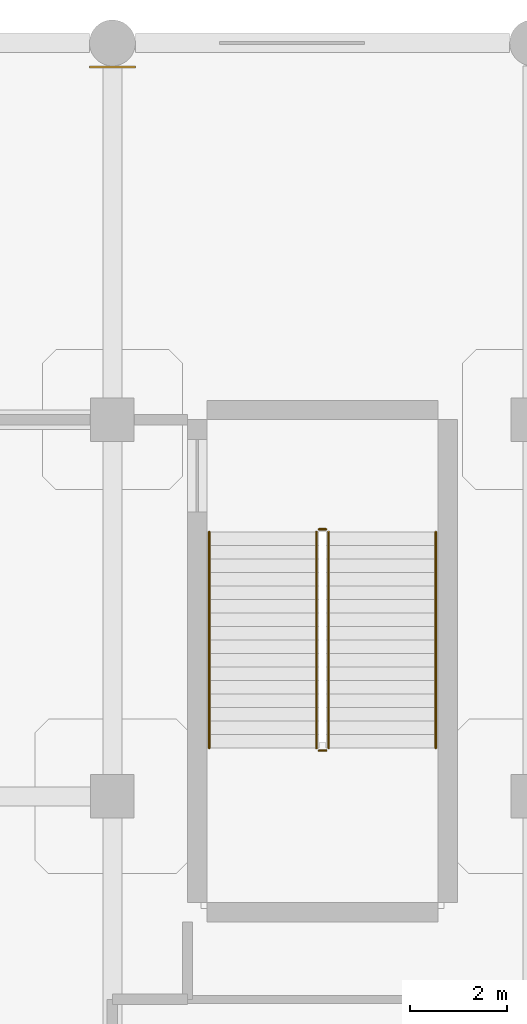
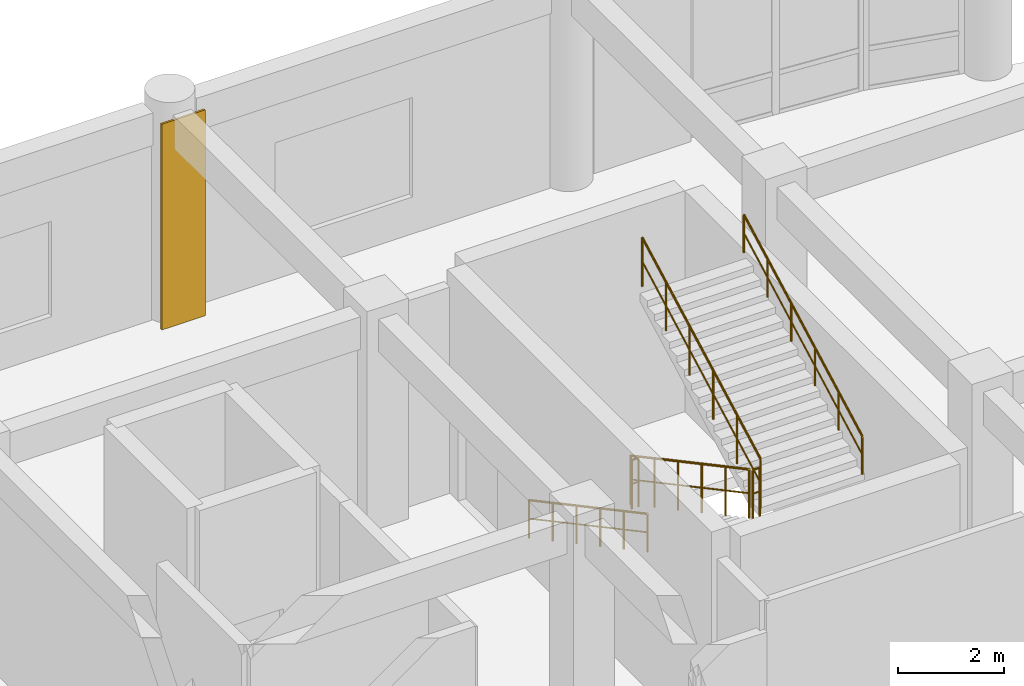
# One storey, part 118 of 120: 6 railings, 1 covering.
"""IFC4 building model written with IfcOpenShell, lengths in metres."""

import ifcopenshell
import ifcopenshell.guid

model = None  # the IFC model being written
_history = None  # IfcOwnerHistory: only IFC2X3 demands one
_inside = {}  # id of a spatial element -> (the spatial element, [elements in it])
_under = {}  # id of a project, library or spatial element -> (it, [spatial elements below it])
_declared = {}  # id of a project -> (the project, [libraries it declares])
_typed = {}  # id of a type object -> (the type object, [elements of that type])
_made_of = {}  # id of a material, layer set ... -> (it, [elements and type objects made of it])


def new_model(schema):
    """Start an empty IFC model of exactly this schema.

    Asked for "IFC4X3", IfcOpenShell would pick the latest addendum, in which some entities
    have other attributes; the version numbers below select the first issue.
    IFC2X3 requires an IfcOwnerHistory on every rooted entity: one is made here for all.
    """
    global model, _history
    if schema == "IFC4X3":
        model = ifcopenshell.file(schema_version=(4, 3, 0, 0))
    else:
        model = ifcopenshell.file(schema=schema)
    _inside.clear()
    _under.clear()
    _declared.clear()
    _typed.clear()
    _made_of.clear()
    _history = None
    if model.schema == "IFC2X3":
        org = make("IfcOrganization", Name="unknown")
        user = make(
            "IfcPersonAndOrganization",
            ThePerson=make("IfcPerson", FamilyName="unknown"),
            TheOrganization=org,
        )
        app = make(
            "IfcApplication",
            ApplicationDeveloper=org,
            Version="unknown",
            ApplicationFullName="unknown",
            ApplicationIdentifier="unknown",
        )
        _history = make(
            "IfcOwnerHistory",
            OwningUser=user,
            OwningApplication=app,
            ChangeAction="ADDED",
            CreationDate=0,
        )
    return model


def make(cls, **values):
    """One entity of the class cls with the attributes given. An attribute that is None is left unset."""
    return model.create_entity(
        cls, **{name: value for name, value in values.items() if value is not None}
    )


def rooted(cls, **values):
    """An entity with a GlobalId (a new one), such as an element, a storey or a relation."""
    return make(cls, GlobalId=ifcopenshell.guid.new(), OwnerHistory=_history, **values)


def si_unit(unit_type, name, prefix=None):
    """IfcSIUnit, for example si_unit("LENGTHUNIT", "METRE", prefix="MILLI")."""
    return make("IfcSIUnit", UnitType=unit_type, Prefix=prefix, Name=name)


def derived_unit(unit_type, elements):
    """IfcDerivedUnit: a product of units, each with its exponent."""
    return make(
        "IfcDerivedUnit",
        Elements=[
            make("IfcDerivedUnitElement", Unit=unit, Exponent=power)
            for unit, power in elements
        ],
        UnitType=unit_type,
    )


def assignment(units):
    """IfcUnitAssignment: the units of a project."""
    return None if units is None else make("IfcUnitAssignment", Units=units)


def point(xyz):
    """IfcCartesianPoint."""
    return None if xyz is None else make("IfcCartesianPoint", Coordinates=xyz)


def direction(xyz):
    """IfcDirection."""
    return None if xyz is None else make("IfcDirection", DirectionRatios=xyz)


def frame(location, z_axis=None, x_axis=None):
    """IfcAxis2Placement3D, a coordinate frame: its origin and axes. An axis left out is left unset."""
    return make(
        "IfcAxis2Placement3D",
        Location=point(location),
        Axis=direction(z_axis),
        RefDirection=direction(x_axis),
    )


def frame_2d(location, x_axis=None):
    """IfcAxis2Placement2D, a coordinate frame in the plane: its origin and x axis."""
    return make(
        "IfcAxis2Placement2D", Location=point(location), RefDirection=direction(x_axis)
    )


def origin():
    """The frame at (0, 0, 0) with its axes left unset."""
    return frame((0.0, 0.0, 0.0))


def origin_2d():
    """The frame at (0, 0) in the plane with its x axis left unset."""
    return frame_2d((0.0, 0.0))


def place(relative_to, where):
    """IfcLocalPlacement: puts the frame where relative to a parent placement (None: the world)."""
    return make(
        "IfcLocalPlacement", PlacementRelTo=relative_to, RelativePlacement=where
    )


def context(
    kind, dimensions, precision=None, world=None, true_north=None, identifier=None
):
    """IfcGeometricRepresentationContext, for example the 3D "Model" context."""
    return make(
        "IfcGeometricRepresentationContext",
        ContextIdentifier=identifier,
        ContextType=kind,
        CoordinateSpaceDimension=dimensions,
        Precision=precision,
        WorldCoordinateSystem=world,
        TrueNorth=true_north,
    )


def subcontext(parent, identifier, kind, view, scale=None):
    """IfcGeometricRepresentationSubContext, for example "Body" below "Model"."""
    return make(
        "IfcGeometricRepresentationSubContext",
        ContextIdentifier=identifier,
        ContextType=kind,
        ParentContext=parent,
        TargetScale=scale,
        TargetView=view,
    )


def project(units=None, contexts=None):
    """IfcProject with its units and contexts."""
    return rooted(
        "IfcProject",
        Name="project",
        RepresentationContexts=contexts,
        UnitsInContext=assignment(units),
    )


def spatial(cls, under=None, at=None, **own):
    """A site, building, storey or space (cls), placed at a placement, below another one or the project."""
    s = rooted(cls, ObjectPlacement=at, **own)
    if under is not None:
        _under.setdefault(under.id(), (under, []))[1].append(s)
    return s


def profile(cls, at=None, kind="AREA", **sizes):
    """A parametric profile (cls). Its sizes go by their IFC names, for example OverallWidth=200.0."""
    return make(cls, ProfileType=kind, Position=at, **sizes)


def rectangle(**sizes):
    """IfcRectangleProfileDef."""
    return profile("IfcRectangleProfileDef", **sizes)


def circle(**sizes):
    """IfcCircleProfileDef."""
    return profile("IfcCircleProfileDef", **sizes)


def extrude(swept, where, along, depth):
    """IfcExtrudedAreaSolid: the profile swept, set in the frame where, extruded along a direction by depth."""
    return make(
        "IfcExtrudedAreaSolid",
        SweptArea=swept,
        Position=where,
        ExtrudedDirection=direction(along),
        Depth=depth,
    )


def shape(context_of_items, identifier, shape_type, items):
    """IfcShapeRepresentation: the items that make up one representation, for example the "Body"."""
    return make(
        "IfcShapeRepresentation",
        ContextOfItems=context_of_items,
        RepresentationIdentifier=identifier,
        RepresentationType=shape_type,
        Items=items,
    )


def material(Name=None, Category=None):
    """IfcMaterial."""
    return make("IfcMaterial", Name=Name, Category=Category)


def layer(
    of_material, thickness, ventilated=None, Name=None, Category=None, Priority=None
):
    """IfcMaterialLayer: one layer of a wall or slab, of a material (None: an air gap)."""
    return make(
        "IfcMaterialLayer",
        Material=of_material,
        LayerThickness=thickness,
        IsVentilated=ventilated,
        Name=Name,
        Category=Category,
        Priority=Priority,
    )


def layer_set(layers, Name=None):
    """IfcMaterialLayerSet."""
    return make("IfcMaterialLayerSet", MaterialLayers=layers, LayerSetName=Name)


def made_of(thing, what):
    """Note that an element or type object is made of a material, layer set ...; save() writes the relation."""
    if what is not None:
        _made_of.setdefault(what.id(), (what, []))[1].append(thing)
    return thing


def type_object(cls, material=None, **own):
    """A type object (cls), such as IfcWallType, which elements share."""
    return made_of(rooted(cls, **own), material)


def element(
    cls,
    number,
    at=None,
    inside=None,
    cuts=None,
    type_object=None,
    material=None,
    context=None,
    identifier="Body",
    shape_type=None,
    held_by="IfcProductDefinitionShape",
    body=None,
    shapes=None,
    **own,
):
    """One element of the class cls, such as IfcWall. Its Tag is "e" and its number.

    at: its placement. inside: the storey or other place that contains it. cuts: it is an
    opening in that element (IfcRelVoidsElement). A single representation is given by context,
    identifier, shape_type and body (its items); several are given by shapes. held_by: the class
    of the entity that holds the representations. save() writes the other relations.
    """
    e = rooted(cls, Tag="e%d" % number, ObjectPlacement=at, **own)
    if body is not None:
        shapes = [shape(context, identifier, shape_type, body)]
    if shapes is not None:
        e.Representation = make(held_by, Representations=shapes)
    if inside is not None:
        _inside.setdefault(inside.id(), (inside, []))[1].append(e)
    if cuts is not None:
        rooted(
            "IfcRelVoidsElement", RelatingBuildingElement=cuts, RelatedOpeningElement=e
        )
    if type_object is not None:
        _typed.setdefault(type_object.id(), (type_object, []))[1].append(e)
    return made_of(e, material)


def aggregate(whole, parts):
    """IfcRelAggregates: a whole, such as a stair, and the parts it consists of."""
    return rooted("IfcRelAggregates", RelatingObject=whole, RelatedObjects=parts)


def save(model, path):
    """Write the relations noted so far, then the file.

    IfcRelAggregates (storeys below a building ...), IfcRelContainedInSpatialStructure (elements
    in a storey), IfcRelDefinesByType, IfcRelAssociatesMaterial and IfcRelDeclares: one each for
    every whole, place, type object, material and project.
    """
    for whole, parts in _under.values():
        aggregate(whole, parts)
    for where, things in _inside.values():
        rooted(
            "IfcRelContainedInSpatialStructure",
            RelatedElements=things,
            RelatingStructure=where,
        )
    for kind, things in _typed.values():
        rooted("IfcRelDefinesByType", RelatedObjects=things, RelatingType=kind)
    for what, things in _made_of.values():
        rooted("IfcRelAssociatesMaterial", RelatedObjects=things, RelatingMaterial=what)
    for by, libraries in _declared.values():
        rooted("IfcRelDeclares", RelatingContext=by, RelatedDefinitions=libraries)
    model.write(path)


model = new_model("IFC4")

# Units and contexts
model_context = context("Model", 3, precision=1e-05, world=origin(), true_north=direction((0.0, 1.0)))
body_context = subcontext(model_context, "Body", "Model", "MODEL_VIEW")
ifc_project = project(units=[si_unit("LENGTHUNIT", "METRE"), si_unit("AREAUNIT", "SQUARE_METRE"), si_unit("VOLUMEUNIT", "CUBIC_METRE"), si_unit("PLANEANGLEUNIT", "RADIAN"), si_unit("MASSUNIT", "GRAM", prefix="KILO"), derived_unit("THERMALTRANSMITTANCEUNIT", [(si_unit("MASSUNIT", "GRAM", prefix="KILO"), 1), (si_unit("TIMEUNIT", "SECOND"), -3), (si_unit("THERMODYNAMICTEMPERATUREUNIT", "KELVIN"), -1)])], contexts=[model_context])

# Site, building, storey
site_placement = place(None, origin())
site = spatial("IfcSite", under=ifc_project, at=site_placement, CompositionType="ELEMENT")
building_placement = place(site_placement, origin())
building = spatial("IfcBuilding", under=site, at=building_placement, Name="Qinzheling Arcade Emporium", CompositionType="ELEMENT")
storey_placement = place(building_placement, frame((0.0, 0.0, 11.39990234375)))
storey = spatial("IfcBuildingStorey", under=building, at=storey_placement, Name="L03", CompositionType="ELEMENT", Elevation=11.39990234375)

# Covering
ifc_material_1 = material(Name="Glazed cream terracotta rainscreen cladding", Category="masonry")
ifc_layer = layer(ifc_material_1, 0.044921875, Name="Glazed cream terracotta rainscreen cladding", Category="masonry")
ifc_layer_set = layer_set([ifc_layer], Name="Glazed cream terracotta rainscreen cladding")
covering_type = type_object("IfcCoveringType", Name="Glazed Terracotta Pier Cladding Casing 45", PredefinedType="CLADDING", material=ifc_layer_set)
covering_placement = place(storey_placement, frame((113.10009765625, 114.10009765625, 0.0), z_axis=(0.0, 0.0, 1.0), x_axis=(1.0, 0.0, 0.0)))
element("IfcCovering", 1, at=covering_placement, inside=storey, type_object=covering_type, Name="Terracotta Pier Cladding L03 8", PredefinedType="CLADDING", context=body_context, shape_type="SweptSolid", body=[
    extrude(rectangle(XDim=0.949951171875, YDim=0.044921875, at=origin_2d()), origin(), (0.0, 0.0, 1.0), 4.75),
])

# Railings
ifc_material_2 = material(Name="Galvanised powder-coated tubular steel", Category="steel")
railing_type_1 = type_object("IfcRailingType", Name="Painted Steel Stairwell Guard Railing 1150", PredefinedType="GUARDRAIL", material=ifc_material_2)
railing_1_placement = place(storey_placement, frame((117.324951171875, 104.47998046875, 0.150146484375)))
element("IfcRailing", 2, at=railing_1_placement, inside=storey, type_object=railing_type_1, Name="L03 ST08 stair guard 1", PredefinedType="GUARDRAIL", context=body_context, shape_type="SweptSolid", body=[
    extrude(circle(Radius=0.02392578125, at=origin_2d()), frame((0.0, 0.0, 1.1259765625), z_axis=(0.0, -0.881487111273, 0.472208081951), x_axis=(1.0, 0.0, 0.0)), (0.0, 0.0, 1.0), 5.082275390625),
    extrude(circle(Radius=0.01611328125, at=origin_2d()), frame((0.0, 0.0, 0.574951171875), z_axis=(0.0, -0.881487111273, 0.472208081951), x_axis=(1.0, 0.0, 0.0)), (0.0, 0.0, 1.0), 5.082275390625),
    extrude(circle(Radius=0.02099609375, at=origin_2d()), origin(), (0.0, 0.0, 1.0), 1.101806640625),
    extrude(circle(Radius=0.02099609375, at=origin_2d()), frame((0.0, -0.89599609375, 0.47998046875)), (0.0, 0.0, 1.0), 1.101806640625),
    extrude(circle(Radius=0.02099609375, at=origin_2d()), frame((0.0, -1.7919921875, 0.9599609375)), (0.0, 0.0, 1.0), 1.101806640625),
    extrude(circle(Radius=0.02099609375, at=origin_2d()), frame((0.0, -2.68798828125, 1.43994140625)), (0.0, 0.0, 1.0), 1.101806640625),
    extrude(circle(Radius=0.02099609375, at=origin_2d()), frame((0.0, -3.583984375, 1.919921875)), (0.0, 0.0, 1.0), 1.101806640625),
    extrude(circle(Radius=0.02099609375, at=origin_2d()), frame((0.0, -4.47998046875, 2.39990234375)), (0.0, 0.0, 1.0), 1.101806640625),
])
railing_2_placement = place(storey_placement, frame((117.375, 99.949951171875, 2.550048828125)))
element("IfcRailing", 3, at=railing_2_placement, inside=storey, type_object=railing_type_1, Name="L03 ST08 stair guard 2", PredefinedType="GUARDRAIL", context=body_context, shape_type="SweptSolid", body=[
    extrude(circle(Radius=0.02392578125, at=origin_2d()), frame((0.0, 0.0, 1.1259765625), z_axis=(1.0, 0.0, 0.0), x_axis=(0.0, 1.0, 0.0)), (0.0, 0.0, 1.0), 0.14990234375),
    extrude(circle(Radius=0.01611328125, at=origin_2d()), frame((0.0, 0.0, 0.574951171875), z_axis=(1.0, 0.0, 0.0), x_axis=(0.0, 1.0, 0.0)), (0.0, 0.0, 1.0), 0.14990234375),
    extrude(circle(Radius=0.02099609375, at=origin_2d()), origin(), (0.0, 0.0, 1.0), 1.101806640625),
    extrude(circle(Radius=0.02099609375, at=origin_2d()), frame((0.14990234375, 0.0, 0.0)), (0.0, 0.0, 1.0), 1.101806640625),
])
railing_3_placement = place(storey_placement, frame((117.574951171875, 100.0, 2.7001953125)))
element("IfcRailing", 4, at=railing_3_placement, inside=storey, type_object=railing_type_1, Name="L03 ST08 stair guard 3", PredefinedType="GUARDRAIL", context=body_context, shape_type="SweptSolid", body=[
    extrude(circle(Radius=0.02392578125, at=origin_2d()), frame((0.0, 0.0, 1.1259765625), z_axis=(0.0, 0.881487111273, 0.472208081951), x_axis=(-1.0, 0.0, 0.0)), (0.0, 0.0, 1.0), 5.082275390625),
    extrude(circle(Radius=0.01611328125, at=origin_2d()), frame((0.0, 0.0, 0.574951171875), z_axis=(0.0, 0.881487111273, 0.472208081951), x_axis=(-1.0, 0.0, 0.0)), (0.0, 0.0, 1.0), 5.082275390625),
    extrude(circle(Radius=0.02099609375, at=origin_2d()), origin(), (0.0, 0.0, 1.0), 1.101806640625),
    extrude(circle(Radius=0.02099609375, at=origin_2d()), frame((0.0, 0.89599609375, 0.47998046875)), (0.0, 0.0, 1.0), 1.101806640625),
    extrude(circle(Radius=0.02099609375, at=origin_2d()), frame((0.0, 1.7919921875, 0.9599609375)), (0.0, 0.0, 1.0), 1.101806640625),
    extrude(circle(Radius=0.02099609375, at=origin_2d()), frame((0.0, 2.68798828125, 1.43994140625)), (0.0, 0.0, 1.0), 1.101806640625),
    extrude(circle(Radius=0.02099609375, at=origin_2d()), frame((0.0, 3.583984375, 1.919921875)), (0.0, 0.0, 1.0), 1.101806640625),
    extrude(circle(Radius=0.02099609375, at=origin_2d()), frame((0.0, 4.47998046875, 2.39990234375)), (0.0, 0.0, 1.0), 1.101806640625),
])
railing_4_placement = place(storey_placement, frame((117.375, 104.530029296875, 0.0)))
element("IfcRailing", 5, at=railing_4_placement, inside=storey, type_object=railing_type_1, Name="L03 ST08 stair guard 4", PredefinedType="GUARDRAIL", context=body_context, shape_type="SweptSolid", body=[
    extrude(circle(Radius=0.02392578125, at=origin_2d()), frame((0.0, 0.0, 1.1259765625), z_axis=(1.0, 0.0, 0.0), x_axis=(0.0, 1.0, 0.0)), (0.0, 0.0, 1.0), 0.14990234375),
    extrude(circle(Radius=0.01611328125, at=origin_2d()), frame((0.0, 0.0, 0.574951171875), z_axis=(1.0, 0.0, 0.0), x_axis=(0.0, 1.0, 0.0)), (0.0, 0.0, 1.0), 0.14990234375),
    extrude(circle(Radius=0.02099609375, at=origin_2d()), origin(), (0.0, 0.0, 1.0), 1.101806640625),
    extrude(circle(Radius=0.02099609375, at=origin_2d()), frame((0.14990234375, 0.0, 0.0)), (0.0, 0.0, 1.0), 1.101806640625),
])
ifc_material_3 = material(Name="Brushed stainless steel 304", Category="steel")
railing_type_2 = type_object("IfcRailingType", Name="Stainless Steel Wall Handrail 900", PredefinedType="HANDRAIL", material=ifc_material_3)
railing_5_placement = place(storey_placement, frame((115.10498046875, 104.47998046875, 0.150146484375)))
element("IfcRailing", 6, at=railing_5_placement, inside=storey, type_object=railing_type_2, Name="L03 ST08 stair handrail 1", PredefinedType="HANDRAIL", context=body_context, shape_type="SweptSolid", body=[
    extrude(circle(Radius=0.02392578125, at=origin_2d()), frame((0.0, 0.0, 0.8759765625), z_axis=(0.0, -0.881487111273, 0.472208081951), x_axis=(1.0, 0.0, 0.0)), (0.0, 0.0, 1.0), 5.082275390625),
    extrude(circle(Radius=0.01611328125, at=origin_2d()), frame((0.0, 0.0, 0.449951171875), z_axis=(0.0, -0.881487111273, 0.472208081951), x_axis=(1.0, 0.0, 0.0)), (0.0, 0.0, 1.0), 5.082275390625),
    extrude(circle(Radius=0.02099609375, at=origin_2d()), origin(), (0.0, 0.0, 1.0), 0.851806640625),
    extrude(circle(Radius=0.02099609375, at=origin_2d()), frame((0.0, -0.89599609375, 0.47998046875)), (0.0, 0.0, 1.0), 0.851806640625),
    extrude(circle(Radius=0.02099609375, at=origin_2d()), frame((0.0, -1.7919921875, 0.9599609375)), (0.0, 0.0, 1.0), 0.851806640625),
    extrude(circle(Radius=0.02099609375, at=origin_2d()), frame((0.0, -2.68798828125, 1.43994140625)), (0.0, 0.0, 1.0), 0.851806640625),
    extrude(circle(Radius=0.02099609375, at=origin_2d()), frame((0.0, -3.583984375, 1.919921875)), (0.0, 0.0, 1.0), 0.851806640625),
    extrude(circle(Radius=0.02099609375, at=origin_2d()), frame((0.0, -4.47998046875, 2.39990234375)), (0.0, 0.0, 1.0), 0.851806640625),
])
railing_6_placement = place(storey_placement, frame((119.794921875, 100.0, 2.7001953125)))
element("IfcRailing", 7, at=railing_6_placement, inside=storey, type_object=railing_type_2, Name="L03 ST08 stair handrail 2", PredefinedType="HANDRAIL", context=body_context, shape_type="SweptSolid", body=[
    extrude(circle(Radius=0.02392578125, at=origin_2d()), frame((0.0, 0.0, 0.8759765625), z_axis=(0.0, 0.881487111273, 0.472208081951), x_axis=(-1.0, 0.0, 0.0)), (0.0, 0.0, 1.0), 5.082275390625),
    extrude(circle(Radius=0.01611328125, at=origin_2d()), frame((0.0, 0.0, 0.449951171875), z_axis=(0.0, 0.881487111273, 0.472208081951), x_axis=(-1.0, 0.0, 0.0)), (0.0, 0.0, 1.0), 5.082275390625),
    extrude(circle(Radius=0.02099609375, at=origin_2d()), origin(), (0.0, 0.0, 1.0), 0.851806640625),
    extrude(circle(Radius=0.02099609375, at=origin_2d()), frame((0.0, 0.89599609375, 0.47998046875)), (0.0, 0.0, 1.0), 0.851806640625),
    extrude(circle(Radius=0.02099609375, at=origin_2d()), frame((0.0, 1.7919921875, 0.9599609375)), (0.0, 0.0, 1.0), 0.851806640625),
    extrude(circle(Radius=0.02099609375, at=origin_2d()), frame((0.0, 2.68798828125, 1.43994140625)), (0.0, 0.0, 1.0), 0.851806640625),
    extrude(circle(Radius=0.02099609375, at=origin_2d()), frame((0.0, 3.583984375, 1.919921875)), (0.0, 0.0, 1.0), 0.851806640625),
    extrude(circle(Radius=0.02099609375, at=origin_2d()), frame((0.0, 4.47998046875, 2.39990234375)), (0.0, 0.0, 1.0), 0.851806640625),
])

save(model, "model.ifc")
